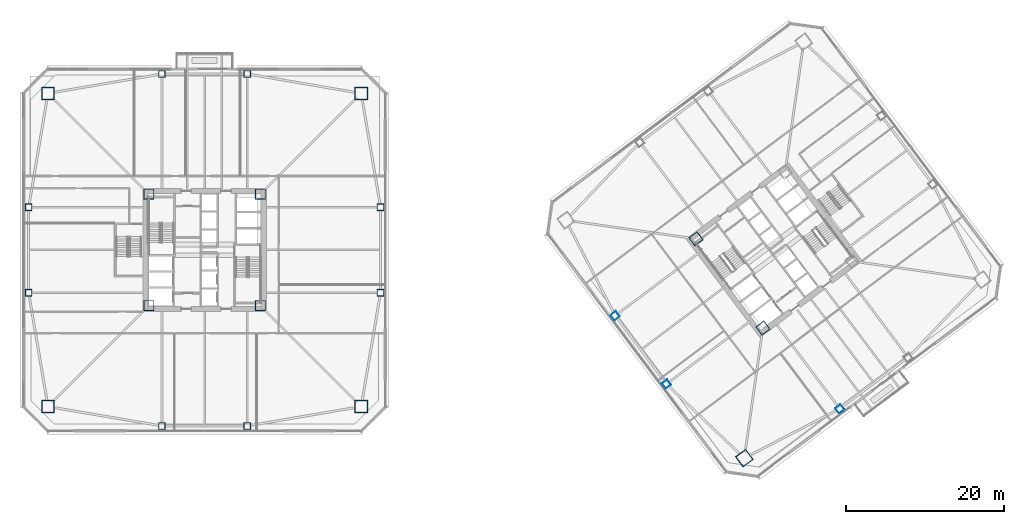
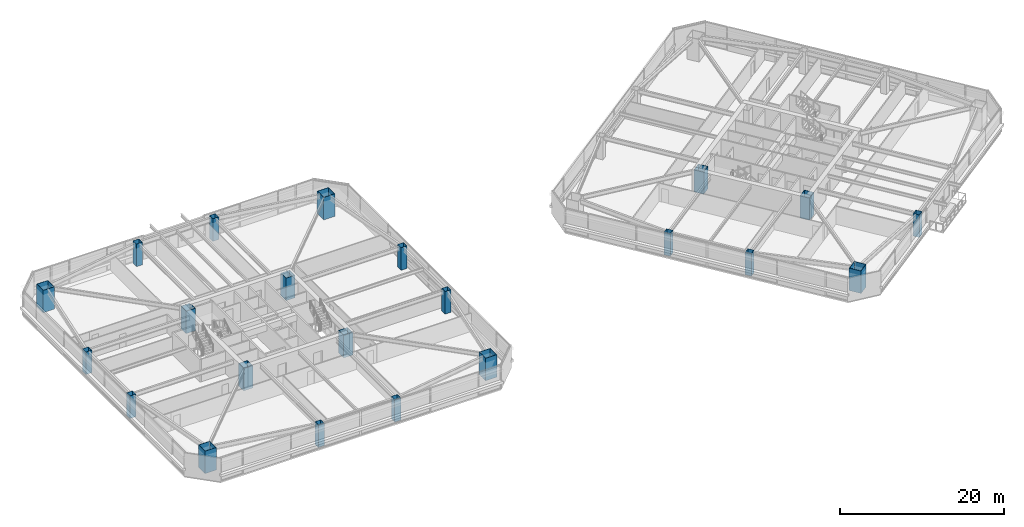
# One storey, part 1 of 51: 22 columns.
"""IFC4 building model written with IfcOpenShell, lengths in metres."""

from ifc_helpers import new_model, si_unit, direction, frame, origin, origin_2d, place, context, subcontext, project, spatial, hollow_rectangle, extrude, material, material_profile, profile_set, type_object, element, save


model = new_model("IFC4")

# Units and contexts
model_context = context("Model", 3, precision=1e-05, world=origin(), true_north=direction((0.0, 1.0)))
body_context = subcontext(model_context, "Body", "Model", "MODEL_VIEW")
ifc_project = project(units=[si_unit("LENGTHUNIT", "METRE"), si_unit("AREAUNIT", "SQUARE_METRE"), si_unit("VOLUMEUNIT", "CUBIC_METRE"), si_unit("PLANEANGLEUNIT", "RADIAN"), si_unit("MASSUNIT", "GRAM", prefix="KILO")], contexts=[model_context])

# Site, building, storey
site_placement = place(None, origin())
site = spatial("IfcSite", under=ifc_project, at=site_placement, CompositionType="ELEMENT")
building_placement = place(site_placement, origin())
building = spatial("IfcBuilding", under=site, at=building_placement, Name="Tashvorn Skyway Center", CompositionType="ELEMENT")
storey_placement = place(building_placement, frame((0.0, 0.0, 49.449951171875)))
storey = spatial("IfcBuildingStorey", under=building, at=storey_placement, Name="L12", CompositionType="ELEMENT", Elevation=49.449951171875)

# Columns
ifc_material = material(Name="Steel ASTM A572 Grade 50", Category="steel")
ifc_material_profile_1 = material_profile(ifc_material, hollow_rectangle(XDim=1.300048828125, YDim=1.300048828125, WallThickness=0.050048828125, at=origin_2d()), Name="BOX1300x1300x50")
ifc_profile_set_1 = profile_set([ifc_material_profile_1], Name="Steel ASTM A572 Grade 50")
column_type_1 = type_object("IfcColumnType", Name="COL-BOX1300x1300x50", PredefinedType="COLUMN", material=ifc_profile_set_1)
for number, where, z_axis, x_axis, name in (
    (1, (34.949951171875, 24.949951171875, 0.0), (0.0, 0.0, 1.0), (1.0, 0.0, 0.0), "Tower 1 L12 Core Corner Column CC-SW"),
    (2, (49.050048828125, 24.949951171875, 0.0), (0.0, 0.0, 1.0), (1.0, 0.0, 0.0), "Tower 1 L12 Core Corner Column CC-SE"),
    (3, (49.050048828125, 39.050048828125, 0.0), (0.0, 0.0, 1.0), (1.0, 0.0, 0.0), "Tower 1 L12 Core Corner Column CC-NE"),
    (4, (34.949951171875, 39.050048828125, 0.0), (0.0, 0.0, 1.0), (1.0, 0.0, 0.0), "Tower 1 L12 Core Corner Column CC-NW"),
    (5, (112.590087890625, 22.1298828125, 0.0), (0.0, 0.0, 1.0), (0.799999996291, 0.600000004945, 0.0), "Tower 2 L12 Core Corner Column CC-SW"),
    (6, (104.1298828125, 33.409912109375, 0.0), (0.0, 0.0, 1.0), (0.799999996291, 0.600000004945, 0.0), "Tower 2 L12 Core Corner Column CC-NW"),
):
    element("IfcColumn", number, at=place(storey_placement, frame(where, z_axis=z_axis, x_axis=x_axis)), inside=storey, type_object=column_type_1, Name=name, PredefinedType="COLUMN", context=body_context, shape_type="SweptSolid", body=[
        extrude(hollow_rectangle(XDim=1.300048828125, YDim=1.300048828125, WallThickness=0.050048828125, at=origin_2d()), origin(), (0.0, 0.0, 1.0), 3.35009765625),
    ])
ifc_material_profile_2 = material_profile(ifc_material, hollow_rectangle(XDim=1.60009765625, YDim=1.60009765625, WallThickness=0.06005859375, at=origin_2d()), Name="BOX1600x1600x60")
ifc_profile_set_2 = profile_set([ifc_material_profile_2], Name="Steel ASTM A572 Grade 50")
column_type_2 = type_object("IfcColumnType", Name="COL-BOX1600x1600x60", PredefinedType="COLUMN", material=ifc_profile_set_2)
for number, where, z_axis, x_axis, name in (
    (7, (22.199951171875, 12.199951171875, 0.0), (0.0, 0.0, 1.0), (1.0, 0.0, 0.0), "Tower 1 L12 Mega-Column MC-SW"),
    (8, (61.800048828125, 12.199951171875, 0.0), (0.0, 0.0, 1.0), (1.0, 0.0, 0.0), "Tower 1 L12 Mega-Column MC-SE"),
    (9, (61.800048828125, 51.800048828125, 0.0), (0.0, 0.0, 1.0), (1.0, 0.0, 0.0), "Tower 1 L12 Mega-Column MC-NE"),
    (10, (22.199951171875, 51.800048828125, 0.0), (0.0, 0.0, 1.0), (1.0, 0.0, 0.0), "Tower 1 L12 Mega-Column MC-NW"),
    (11, (110.239990234375, 5.679931640625, 0.0), (0.0, 0.0, 1.0), (0.799999996291, 0.600000004945, 0.0), "Tower 2 L12 Mega-Column MC-SW"),
):
    element("IfcColumn", number, at=place(storey_placement, frame(where, z_axis=z_axis, x_axis=x_axis)), inside=storey, type_object=column_type_2, Name=name, PredefinedType="COLUMN", context=body_context, shape_type="SweptSolid", body=[
        extrude(hollow_rectangle(XDim=1.60009765625, YDim=1.60009765625, WallThickness=0.06005859375, at=origin_2d()), origin(), (0.0, 0.0, 1.0), 3.35009765625),
    ])
ifc_material_profile_3 = material_profile(ifc_material, hollow_rectangle(XDim=0.85009765625, YDim=0.85009765625, WallThickness=0.034912109375, at=origin_2d()), Name="BOX850x850x35")
ifc_profile_set_3 = profile_set([ifc_material_profile_3], Name="Steel ASTM A572 Grade 50")
column_type_3 = type_object("IfcColumnType", Name="COL-BOX850x850x35", PredefinedType="COLUMN", material=ifc_profile_set_3)
for number, where, z_axis, x_axis, name in (
    (12, (36.60009765625, 9.75, 0.0), (0.0, 0.0, 1.0), (1.0, 0.0, 0.0), "Tower 1 L12 Perimeter Column FC-S1"),
    (13, (47.39990234375, 9.75, 0.0), (0.0, 0.0, 1.0), (1.0, 0.0, 0.0), "Tower 1 L12 Perimeter Column FC-S2"),
    (14, (64.25, 26.60009765625, 0.0), (0.0, 0.0, 1.0), (1.0, 0.0, 0.0), "Tower 1 L12 Perimeter Column FC-E1"),
    (15, (64.25, 37.39990234375, 0.0), (0.0, 0.0, 1.0), (1.0, 0.0, 0.0), "Tower 1 L12 Perimeter Column FC-E2"),
    (16, (47.39990234375, 54.25, 0.0), (0.0, 0.0, 1.0), (1.0, 0.0, 0.0), "Tower 1 L12 Perimeter Column FC-N1"),
    (17, (36.60009765625, 54.25, 0.0), (0.0, 0.0, 1.0), (1.0, 0.0, 0.0), "Tower 1 L12 Perimeter Column FC-N2"),
    (18, (19.75, 37.39990234375, 0.0), (0.0, 0.0, 1.0), (1.0, 0.0, 0.0), "Tower 1 L12 Perimeter Column FC-W1"),
    (19, (19.75, 26.60009765625, 0.0), (0.0, 0.0, 1.0), (1.0, 0.0, 0.0), "Tower 1 L12 Perimeter Column FC-W2"),
    (20, (122.31005859375, 11.919921875, 0.0), (0.0, 0.0, 1.0), (0.799999996291, 0.600000004945, 0.0), "Tower 2 L12 Perimeter Column FC-S1"),
    (21, (93.919921875, 23.68994140625, 0.0), (0.0, 0.0, 1.0), (0.799999996291, 0.600000004945, 0.0), "Tower 2 L12 Perimeter Column FC-W1"),
    (22, (100.39990234375, 15.050048828125, 0.0), (0.0, 0.0, 1.0), (0.799999996291, 0.600000004945, 0.0), "Tower 2 L12 Perimeter Column FC-W2"),
):
    element("IfcColumn", number, at=place(storey_placement, frame(where, z_axis=z_axis, x_axis=x_axis)), inside=storey, type_object=column_type_3, Name=name, PredefinedType="COLUMN", context=body_context, shape_type="SweptSolid", body=[
        extrude(hollow_rectangle(XDim=0.85009765625, YDim=0.85009765625, WallThickness=0.034912109375, at=origin_2d()), origin(), (0.0, 0.0, 1.0), 3.35009765625),
    ])

save(model, "model.ifc")
